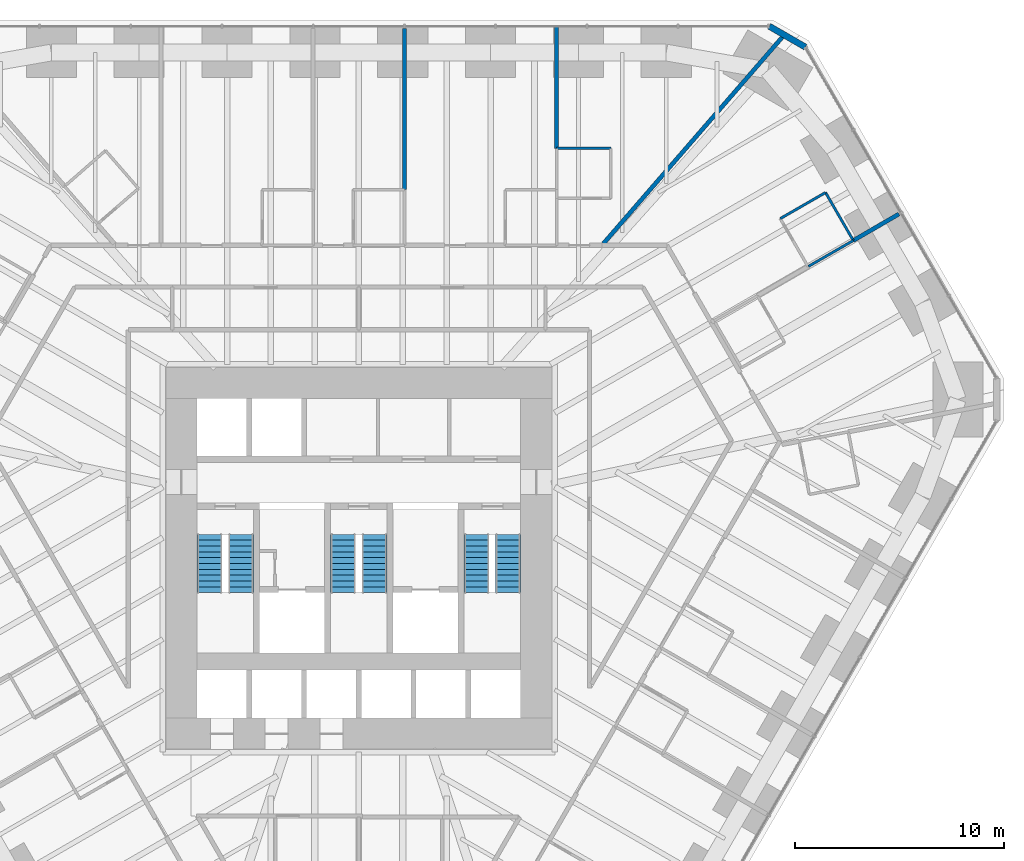
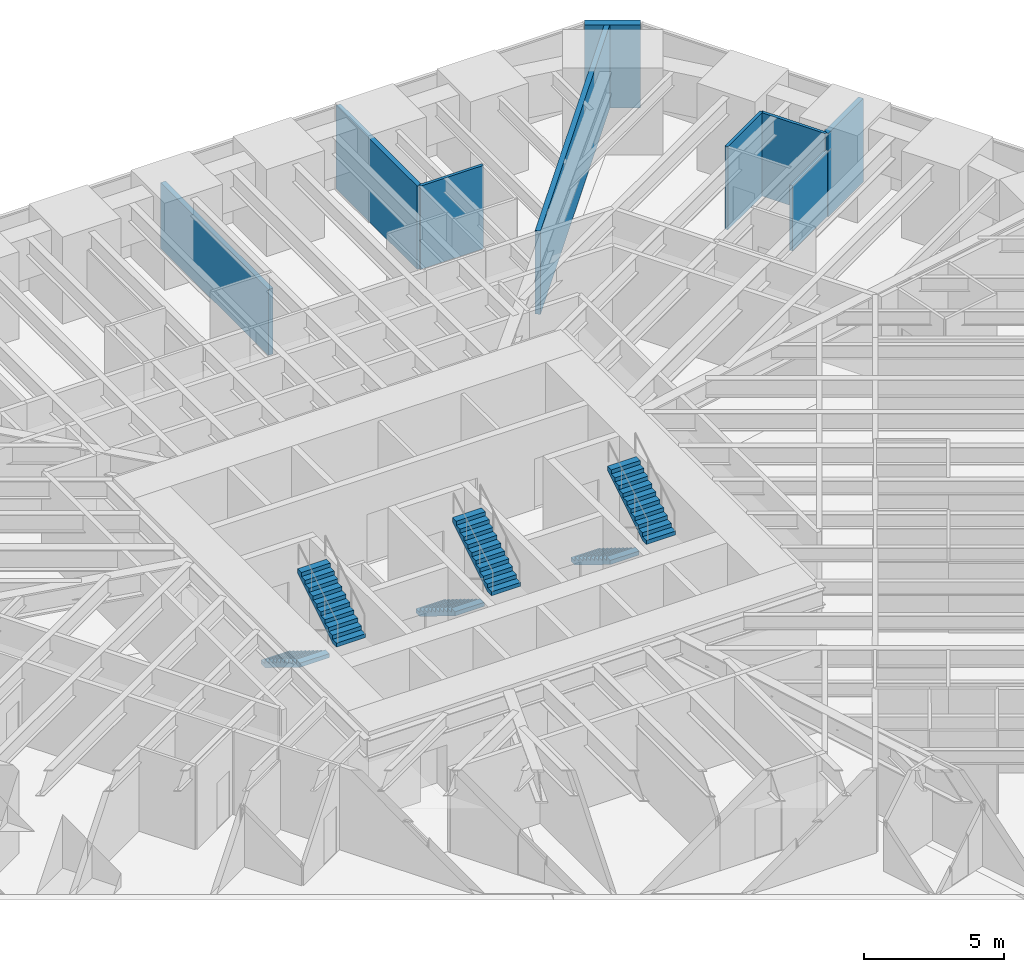
# One storey, part 16 of 17: 9 walls, 6 stair flights, 3 elements without a shape of their own.
"""IFC4 building model written with IfcOpenShell, lengths in metres."""

from ifc_helpers import new_model, si_unit, direction, frame, frame_2d, origin, place, context, subcontext, project, spatial, polyline, rectangle, outline, extrude, material, layer, layer_set, type_object, element, aggregate, save


model = new_model("IFC4")

# Units and contexts
model_context = context("Model", 3, precision=1e-05, world=origin(), true_north=direction((0.0, 1.0)))
body_context = subcontext(model_context, "Body", "Model", "MODEL_VIEW")
ifc_project = project(units=[si_unit("LENGTHUNIT", "METRE"), si_unit("AREAUNIT", "SQUARE_METRE"), si_unit("VOLUMEUNIT", "CUBIC_METRE"), si_unit("PLANEANGLEUNIT", "RADIAN"), si_unit("MASSUNIT", "GRAM", prefix="KILO")], contexts=[model_context])

# Site, building, storey
site_placement = place(None, origin())
site = spatial("IfcSite", under=ifc_project, at=site_placement, CompositionType="ELEMENT")
building_placement = place(site_placement, origin())
building = spatial("IfcBuilding", under=site, at=building_placement, Name="Sandreach Pilgrim Tower", CompositionType="ELEMENT")
storey_placement = place(building_placement, frame((0.0, 0.0, 26.800048828125)))
storey = spatial("IfcBuildingStorey", under=building, at=storey_placement, Name="L05", CompositionType="ELEMENT", Elevation=26.800048828125)

# Walls
ifc_material_1 = material(Name="Moisture-resistant gypsum board on steel studs", Category="steel")
ifc_layer_1 = layer(ifc_material_1, 0.1201171875)
ifc_layer_set_1 = layer_set([ifc_layer_1], Name="Bathroom partition 120")
wall_type_1 = type_object("IfcWallType", Name="Bathroom partition 120", PredefinedType="PARTITIONING", material=ifc_layer_set_1)
wall_1_placement = place(storey_placement, frame((12.080078125, 18.10009765625, 0.0), z_axis=(0.0, 0.0, 1.0), x_axis=(-1.0, 0.0, 0.0)))
element("IfcWall", 1, at=wall_1_placement, inside=storey, type_object=wall_type_1, Name="Bathroom partition L05-133", PredefinedType="PARTITIONING", context=body_context, shape_type="SweptSolid", body=[
    extrude(rectangle(XDim=2.60009765625, YDim=0.1201171875, at=frame_2d((1.300048828125, 0.0))), origin(), (0.0, 0.0, 1.0), 3.639892578125),
])
wall_2_placement = place(storey_placement, frame((21.550048828125, 12.43994140625, 0.0), z_axis=(0.0, 0.0, 1.0), x_axis=(0.866244536399, 0.499620258956, 0.0)))
element("IfcWall", 2, at=wall_2_placement, inside=storey, type_object=wall_type_1, Name="Bathroom partition L05-163", PredefinedType="PARTITIONING", context=body_context, shape_type="SweptSolid", body=[
    extrude(rectangle(XDim=2.48193359375, YDim=0.1201171875, at=frame_2d((1.240966796875, 0.0))), origin(), (0.0, 0.0, 1.0), 2.860107421875),
])
wall_3_placement = place(storey_placement, frame((22.3701171875, 15.97998046875, 0.0), z_axis=(0.0, 0.0, 1.0), x_axis=(-0.86653430447, -0.499117520406, 0.0)))
element("IfcWall", 3, at=wall_3_placement, inside=storey, type_object=wall_type_1, Name="Bathroom partition L05-165", PredefinedType="PARTITIONING", context=body_context, shape_type="SweptSolid", body=[
    extrude(rectangle(XDim=2.50439453125, YDim=0.1201171875, at=frame_2d((1.252197265625, 0.0))), origin(), (0.0, 0.0, 1.0), 3.639892578125),
])
wall_4_placement = place(storey_placement, frame((23.699951171875, 13.679931640625, 0.0), z_axis=(0.0, 0.0, 1.0), x_axis=(-0.500605174168, 0.865675724273, 0.0)))
element("IfcWall", 4, at=wall_4_placement, inside=storey, type_object=wall_type_1, Name="Bathroom partition L05-167", PredefinedType="PARTITIONING", context=body_context, shape_type="SweptSolid", body=[
    extrude(rectangle(XDim=2.656982421875, YDim=0.1201171875, at=frame_2d((1.32861328125, 0.0))), origin(), (0.0, 0.0, 1.0), 3.639892578125),
])
ifc_material_2 = material(Name="Double steel stud acoustic wall, gypsum board", Category="steel")
ifc_layer_2 = layer(ifc_material_2, 0.199951171875)
ifc_layer_set_2 = layer_set([ifc_layer_2], Name="Party wall 200")
wall_type_2 = type_object("IfcWallType", Name="Party wall 200", PredefinedType="PARTITIONING", material=ifc_layer_set_2)
wall_5_placement = place(storey_placement, frame((2.18994140625, 23.830078125, 0.0), z_axis=(0.0, 0.0, 1.0), x_axis=(0.0, -1.0, 0.0)))
element("IfcWall", 5, at=wall_5_placement, inside=storey, type_object=wall_type_2, Name="Party wall L05-092", PredefinedType="PARTITIONING", context=body_context, shape_type="SweptSolid", body=[
    extrude(rectangle(XDim=7.7099609375, YDim=0.199951171875, at=frame_2d((3.85498046875, 0.0))), origin(), (0.0, 0.0, 1.0), 2.8779296875),
])
wall_6_placement = place(storey_placement, frame((9.47998046875, 23.919921875, 0.0), z_axis=(0.0, 0.0, 1.0), x_axis=(0.0, -1.0, 0.0)))
element("IfcWall", 6, at=wall_6_placement, inside=storey, type_object=wall_type_2, Name="Party wall L05-121", PredefinedType="PARTITIONING", context=body_context, shape_type="SweptSolid", body=[
    extrude(rectangle(XDim=5.81982421875, YDim=0.199951171875, at=frame_2d((2.909912109375, 0.0))), origin(), (0.0, 0.0, 1.0), 3.639892578125),
])
wall_7_placement = place(storey_placement, frame((20.400390625, 23.54736328125, 0.0), z_axis=(0.0, 0.0, 1.0), x_axis=(-0.654899675326, -0.7557158297, 0.0)))
element("IfcWall", 7, at=wall_7_placement, inside=storey, type_object=wall_type_2, Name="Party wall L05-159", PredefinedType="PARTITIONING", context=body_context, shape_type="SweptSolid", body=[
    extrude(rectangle(XDim=13.251220703125, YDim=0.199951171875, at=frame_2d((6.62548828125, 0.0))), origin(), (0.0, 0.0, 1.0), 3.639892578125),
])
wall_8_placement = place(storey_placement, frame((23.699951171875, 13.679931640625, 0.0), z_axis=(0.0, 0.0, 1.0), x_axis=(0.864733482606, 0.502231026581, 0.0)))
element("IfcWall", 8, at=wall_8_placement, inside=storey, type_object=wall_type_2, Name="Party wall L05-168", PredefinedType="PARTITIONING", context=body_context, shape_type="SweptSolid", body=[
    extrude(rectangle(XDim=2.5283203125, YDim=0.199951171875, at=frame_2d((1.26416015625, 0.0))), origin(), (0.0, 0.0, 1.0), 3.639892578125),
])
ifc_material_3 = material(Name="Terracotta rainscreen on concrete", Category="masonry")
ifc_layer_3 = layer(ifc_material_3, 0.300048828125)
ifc_layer_set_3 = layer_set([ifc_layer_3], Name="Terracotta chamfer pier")
wall_type_3 = type_object("IfcWallType", Name="Terracotta chamfer pier", PredefinedType="SOLIDWALL", material=ifc_layer_set_3)
wall_9_placement = place(storey_placement, frame((19.672119140625, 23.94873046875, 0.0), z_axis=(0.0, 0.0, 1.0), x_axis=(0.866010750942, -0.50002537861, 0.0)))
element("IfcWall", 9, at=wall_9_placement, inside=storey, type_object=wall_type_3, Name="Chamfer pier L05 N", PredefinedType="SOLIDWALL", context=body_context, shape_type="SweptSolid", body=[
    extrude(rectangle(XDim=2.0, YDim=0.300048828125, at=frame_2d((1.0, 0.0))), origin(), (0.0, 0.0, 1.0), 3.639892578125),
])

# Stair, stair flights
ifc_material_4 = material(Name="Concrete 8000 psi", Category="concrete")
stair_type = type_object("IfcStairType", Name="Core exit stair", PredefinedType="HALF_TURN_STAIR", material=ifc_material_4)
stair_1_placement = place(storey_placement, origin())
stair_1 = element("IfcStair", 10, at=stair_1_placement, inside=storey, type_object=stair_type, Name="Exit stair ST1 L05", PredefinedType="HALF_TURN_STAIR")
ifc_material_5 = material(Name="Concrete 8000 psi", Category="concrete")
stair_flight_type = type_object("IfcStairFlightType", Name="Core stair flight 1200", PredefinedType="STRAIGHT", material=ifc_material_5)
stair_flight_1_placement = place(storey_placement, frame((-7.14990234375, -0.39990234375, 0.0), z_axis=(0.0, 0.0, 1.0), x_axis=(0.0, -1.0, 0.0)))
stair_flight_1 = element("IfcStairFlight", 11, at=stair_flight_1_placement, type_object=stair_flight_type, Name="ST1 flight 1", NumberOfRisers=11, NumberOfTreads=10, PredefinedType="STRAIGHT", RiserHeight=0.172727273, TreadLength=0.28, context=body_context, shape_type="SweptSolid", body=[
    extrude(outline(polyline([(0.0, 0.0), (0.0, 0.172607421875), (0.280029296875, 0.172607421875), (0.280029296875, 0.345458984375), (0.56005859375, 0.345458984375), (0.56005859375, 0.51806640625), (0.840087890625, 0.51806640625), (0.840087890625, 0.69091796875), (1.1201171875, 0.69091796875), (1.1201171875, 0.863525390625), (1.39990234375, 0.863525390625), (1.39990234375, 1.036376953125), (1.679931640625, 1.036376953125), (1.679931640625, 1.208984375), (1.9599609375, 1.208984375), (1.9599609375, 1.3818359375), (2.239990234375, 1.3818359375), (2.239990234375, 1.554443359375), (2.52001953125, 1.554443359375), (2.52001953125, 1.727294921875), (2.800048828125, 1.727294921875), (2.800048828125, 1.89990234375), (2.800048828125, 1.551025390625), (0.285400390625, 0.0), (0.0, 0.0)])), frame((0.0, 0.60009765625, 0.0), z_axis=(0.0, -1.0, 0.0), x_axis=(1.0, 0.0, 0.0)), (0.0, 0.0, 1.0), 1.199951171875),
])
stair_flight_2_placement = place(storey_placement, frame((-5.64990234375, -3.199951171875, 1.89990234375), z_axis=(0.0, 0.0, 1.0), x_axis=(0.0, 1.0, 0.0)))
stair_flight_2 = element("IfcStairFlight", 12, at=stair_flight_2_placement, type_object=stair_flight_type, Name="ST1 flight 2", NumberOfRisers=11, NumberOfTreads=10, PredefinedType="STRAIGHT", RiserHeight=0.172727273, TreadLength=0.28, context=body_context, shape_type="SweptSolid", body=[
    extrude(outline(polyline([(0.0, 0.0), (0.0, 0.172607421875), (0.280029296875, 0.172607421875), (0.280029296875, 0.345458984375), (0.56005859375, 0.345458984375), (0.56005859375, 0.51806640625), (0.840087890625, 0.51806640625), (0.840087890625, 0.69091796875), (1.1201171875, 0.69091796875), (1.1201171875, 0.863525390625), (1.39990234375, 0.863525390625), (1.39990234375, 1.036376953125), (1.679931640625, 1.036376953125), (1.679931640625, 1.208984375), (1.9599609375, 1.208984375), (1.9599609375, 1.3818359375), (2.239990234375, 1.3818359375), (2.239990234375, 1.554443359375), (2.52001953125, 1.554443359375), (2.52001953125, 1.727294921875), (2.800048828125, 1.727294921875), (2.800048828125, 1.89990234375), (2.800048828125, 1.551025390625), (0.285400390625, 0.0), (0.0, 0.0)])), frame((0.0, 0.60009765625, 0.0), z_axis=(0.0, -1.0, 0.0), x_axis=(1.0, 0.0, 0.0)), (0.0, 0.0, 1.0), 1.199951171875),
])
aggregate(stair_1, [stair_flight_1, stair_flight_2])

stair_2_placement = place(storey_placement, origin())
stair_2 = element("IfcStair", 13, at=stair_2_placement, inside=storey, type_object=stair_type, Name="Exit stair ST3 L05", PredefinedType="HALF_TURN_STAIR")
stair_flight_3_placement = place(storey_placement, frame((-0.75, -0.39990234375, 0.0), z_axis=(0.0, 0.0, 1.0), x_axis=(0.0, -1.0, 0.0)))
stair_flight_3 = element("IfcStairFlight", 14, at=stair_flight_3_placement, type_object=stair_flight_type, Name="ST3 flight 1", NumberOfRisers=11, NumberOfTreads=10, PredefinedType="STRAIGHT", RiserHeight=0.172727273, TreadLength=0.28, context=body_context, shape_type="SweptSolid", body=[
    extrude(outline(polyline([(0.0, 0.0), (0.0, 0.172607421875), (0.280029296875, 0.172607421875), (0.280029296875, 0.345458984375), (0.56005859375, 0.345458984375), (0.56005859375, 0.51806640625), (0.840087890625, 0.51806640625), (0.840087890625, 0.69091796875), (1.1201171875, 0.69091796875), (1.1201171875, 0.863525390625), (1.39990234375, 0.863525390625), (1.39990234375, 1.036376953125), (1.679931640625, 1.036376953125), (1.679931640625, 1.208984375), (1.9599609375, 1.208984375), (1.9599609375, 1.3818359375), (2.239990234375, 1.3818359375), (2.239990234375, 1.554443359375), (2.52001953125, 1.554443359375), (2.52001953125, 1.727294921875), (2.800048828125, 1.727294921875), (2.800048828125, 1.89990234375), (2.800048828125, 1.551025390625), (0.285400390625, 0.0), (0.0, 0.0)])), frame((0.0, 0.60009765625, 0.0), z_axis=(0.0, -1.0, 0.0), x_axis=(1.0, 0.0, 0.0)), (0.0, 0.0, 1.0), 1.199951171875),
])
stair_flight_4_placement = place(storey_placement, frame((0.75, -3.199951171875, 1.89990234375), z_axis=(0.0, 0.0, 1.0), x_axis=(0.0, 1.0, 0.0)))
stair_flight_4 = element("IfcStairFlight", 15, at=stair_flight_4_placement, type_object=stair_flight_type, Name="ST3 flight 2", NumberOfRisers=11, NumberOfTreads=10, PredefinedType="STRAIGHT", RiserHeight=0.172727273, TreadLength=0.28, context=body_context, shape_type="SweptSolid", body=[
    extrude(outline(polyline([(0.0, 0.0), (0.0, 0.172607421875), (0.280029296875, 0.172607421875), (0.280029296875, 0.345458984375), (0.56005859375, 0.345458984375), (0.56005859375, 0.51806640625), (0.840087890625, 0.51806640625), (0.840087890625, 0.69091796875), (1.1201171875, 0.69091796875), (1.1201171875, 0.863525390625), (1.39990234375, 0.863525390625), (1.39990234375, 1.036376953125), (1.679931640625, 1.036376953125), (1.679931640625, 1.208984375), (1.9599609375, 1.208984375), (1.9599609375, 1.3818359375), (2.239990234375, 1.3818359375), (2.239990234375, 1.554443359375), (2.52001953125, 1.554443359375), (2.52001953125, 1.727294921875), (2.800048828125, 1.727294921875), (2.800048828125, 1.89990234375), (2.800048828125, 1.551025390625), (0.285400390625, 0.0), (0.0, 0.0)])), frame((0.0, 0.60009765625, 0.0), z_axis=(0.0, -1.0, 0.0), x_axis=(1.0, 0.0, 0.0)), (0.0, 0.0, 1.0), 1.199951171875),
])
aggregate(stair_2, [stair_flight_3, stair_flight_4])

stair_3_placement = place(storey_placement, origin())
stair_3 = element("IfcStair", 16, at=stair_3_placement, inside=storey, type_object=stair_type, Name="Exit stair ST2 L05", PredefinedType="HALF_TURN_STAIR")
stair_flight_5_placement = place(storey_placement, frame((5.64990234375, -0.39990234375, 0.0), z_axis=(0.0, 0.0, 1.0), x_axis=(0.0, -1.0, 0.0)))
stair_flight_5 = element("IfcStairFlight", 17, at=stair_flight_5_placement, type_object=stair_flight_type, Name="ST2 flight 1", NumberOfRisers=11, NumberOfTreads=10, PredefinedType="STRAIGHT", RiserHeight=0.172727273, TreadLength=0.28, context=body_context, shape_type="SweptSolid", body=[
    extrude(outline(polyline([(0.0, 0.0), (0.0, 0.172607421875), (0.280029296875, 0.172607421875), (0.280029296875, 0.345458984375), (0.56005859375, 0.345458984375), (0.56005859375, 0.51806640625), (0.840087890625, 0.51806640625), (0.840087890625, 0.69091796875), (1.1201171875, 0.69091796875), (1.1201171875, 0.863525390625), (1.39990234375, 0.863525390625), (1.39990234375, 1.036376953125), (1.679931640625, 1.036376953125), (1.679931640625, 1.208984375), (1.9599609375, 1.208984375), (1.9599609375, 1.3818359375), (2.239990234375, 1.3818359375), (2.239990234375, 1.554443359375), (2.52001953125, 1.554443359375), (2.52001953125, 1.727294921875), (2.800048828125, 1.727294921875), (2.800048828125, 1.89990234375), (2.800048828125, 1.551025390625), (0.285400390625, 0.0), (0.0, 0.0)])), frame((0.0, 0.60009765625, 0.0), z_axis=(0.0, -1.0, 0.0), x_axis=(1.0, 0.0, 0.0)), (0.0, 0.0, 1.0), 1.199951171875),
])
stair_flight_6_placement = place(storey_placement, frame((7.14990234375, -3.199951171875, 1.89990234375), z_axis=(0.0, 0.0, 1.0), x_axis=(0.0, 1.0, 0.0)))
stair_flight_6 = element("IfcStairFlight", 18, at=stair_flight_6_placement, type_object=stair_flight_type, Name="ST2 flight 2", NumberOfRisers=11, NumberOfTreads=10, PredefinedType="STRAIGHT", RiserHeight=0.172727273, TreadLength=0.28, context=body_context, shape_type="SweptSolid", body=[
    extrude(outline(polyline([(0.0, 0.0), (0.0, 0.172607421875), (0.280029296875, 0.172607421875), (0.280029296875, 0.345458984375), (0.56005859375, 0.345458984375), (0.56005859375, 0.51806640625), (0.840087890625, 0.51806640625), (0.840087890625, 0.69091796875), (1.1201171875, 0.69091796875), (1.1201171875, 0.863525390625), (1.39990234375, 0.863525390625), (1.39990234375, 1.036376953125), (1.679931640625, 1.036376953125), (1.679931640625, 1.208984375), (1.9599609375, 1.208984375), (1.9599609375, 1.3818359375), (2.239990234375, 1.3818359375), (2.239990234375, 1.554443359375), (2.52001953125, 1.554443359375), (2.52001953125, 1.727294921875), (2.800048828125, 1.727294921875), (2.800048828125, 1.89990234375), (2.800048828125, 1.551025390625), (0.285400390625, 0.0), (0.0, 0.0)])), frame((0.0, 0.60009765625, 0.0), z_axis=(0.0, -1.0, 0.0), x_axis=(1.0, 0.0, 0.0)), (0.0, 0.0, 1.0), 1.199951171875),
])
aggregate(stair_3, [stair_flight_5, stair_flight_6])

save(model, "model.ifc")
